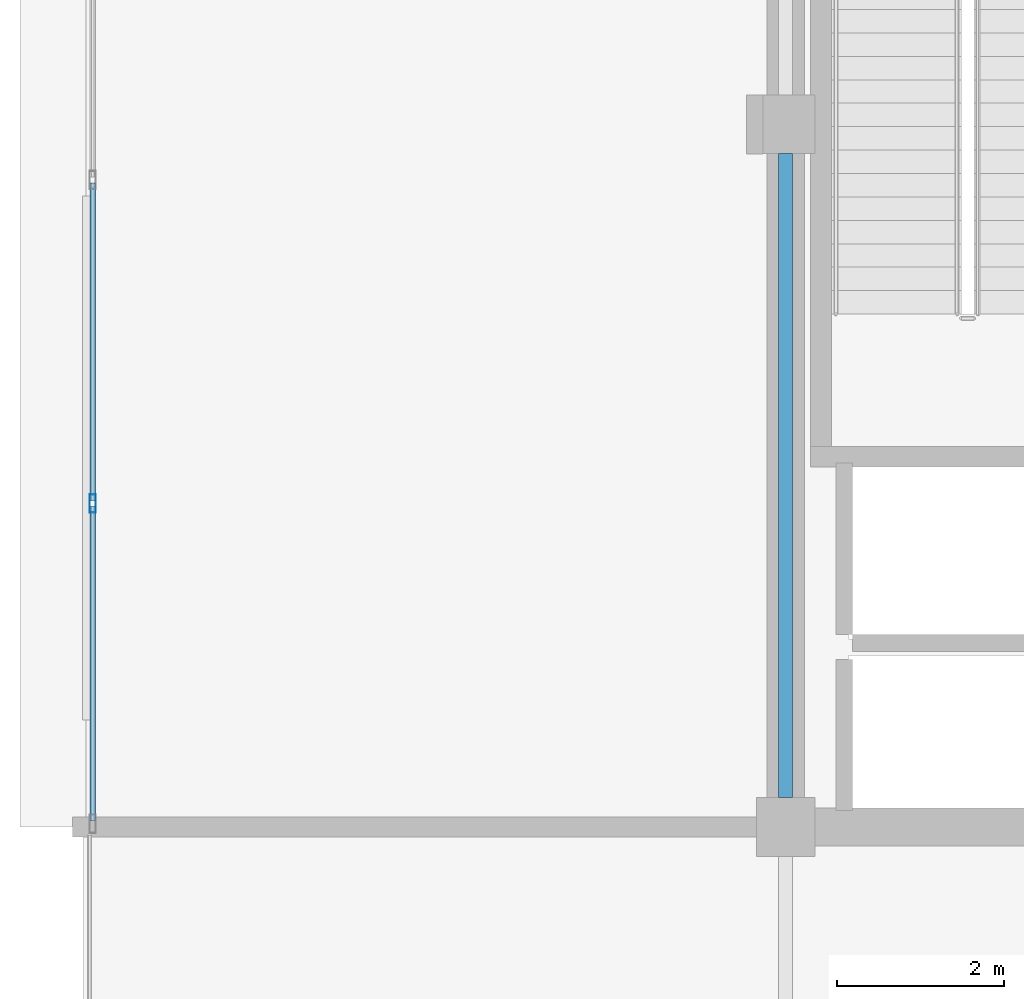
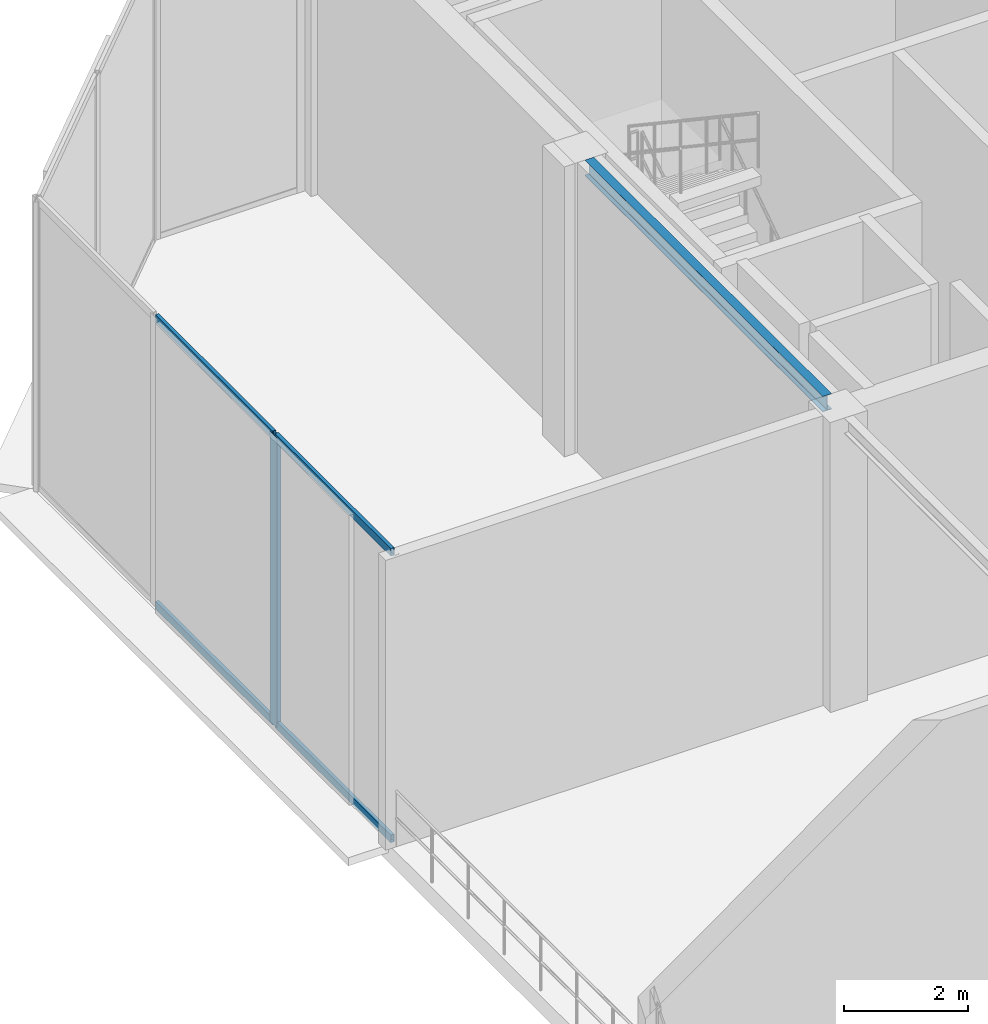
# One storey, part 7 of 19: 5 members, 1 beam, 1 element without a shape of its own.
"""IFC4 building model written with IfcOpenShell, lengths in metres."""

from ifc_helpers import new_model, si_unit, direction, frame, origin, origin_2d, place, context, subcontext, project, spatial, hollow_rectangle, i_section, extrude, material, layer, layer_set, material_profile, profile_set, type_object, element, aggregate, save


model = new_model("IFC4")

# Units and contexts
model_context = context("Model", 3, precision=1e-05, world=origin(), true_north=direction((0.0, 1.0)))
body_context = subcontext(model_context, "Body", "Model", "MODEL_VIEW")
ifc_project = project(units=[si_unit("LENGTHUNIT", "METRE"), si_unit("AREAUNIT", "SQUARE_METRE"), si_unit("VOLUMEUNIT", "CUBIC_METRE"), si_unit("PLANEANGLEUNIT", "RADIAN"), si_unit("MASSUNIT", "GRAM", prefix="KILO")], contexts=[model_context])

# Site, building, storey
site_placement = place(None, origin())
site = spatial("IfcSite", under=ifc_project, at=site_placement, CompositionType="ELEMENT")
building_placement = place(site_placement, origin())
building = spatial("IfcBuilding", under=site, at=building_placement, Name="Nerrivon Quay Data Exchange", CompositionType="ELEMENT")
storey_placement = place(building_placement, frame((0.0, 0.0, 327.0)))
storey = spatial("IfcBuildingStorey", under=building, at=storey_placement, Name="L78", CompositionType="ELEMENT", Elevation=327.0)

# Beam
ifc_material_1 = material(Name="Steel Grade 350", Category="steel")
ifc_material_profile_1 = material_profile(ifc_material_1, i_section(OverallWidth=0.166015625, OverallDepth=0.306884765625, WebThickness=0.006591796875, FlangeThickness=0.01171875, FilletRadius=0.011474609375, at=origin_2d()), Name="310UB46.2")
ifc_profile_set_1 = profile_set([ifc_material_profile_1], Name="Steel Grade 350")
beam_type = type_object("IfcBeamType", Name="BM-J5-310UB46", PredefinedType="JOIST", material=ifc_profile_set_1)
beam_placement = place(storey_placement, frame((8.39990234375, 25.550048828125, 5.571533203125), z_axis=(0.0, 1.0, 0.0), x_axis=(-1.0, 0.0, 0.0)))
element("IfcBeam", 1, at=beam_placement, inside=storey, type_object=beam_type, Name="L78 NS Girder X=8.4 (25.2..33.6)", PredefinedType="JOIST", context=body_context, shape_type="SweptSolid", body=[
    extrude(i_section(OverallWidth=0.166015625, OverallDepth=0.306884765625, WebThickness=0.006591796875, FlangeThickness=0.01171875, FilletRadius=0.011474609375, at=origin_2d()), origin(), (0.0, 0.0, 1.0), 7.699951171875),
])

# Curtain wall, members
ifc_material_2 = material(Name="Anodised aluminium 6063-T6", Category="aluminium")
ifc_layer = layer(ifc_material_2, 0.22998046875)
ifc_layer_set = layer_set([ifc_layer], Name="Anodised aluminium 6063-T6")
curtain_wall_type = type_object("IfcCurtainWallType", Name="CW-SYS-05", PredefinedType="NOTDEFINED", material=ifc_layer_set)
curtain_wall_placement = place(storey_placement, origin())
curtain_wall = element("IfcCurtainWall", 2, at=curtain_wall_placement, inside=storey, type_object=curtain_wall_type, Name="L78 Crown Curtain Wall 24", PredefinedType="NOTDEFINED")
ifc_material_profile_2 = material_profile(ifc_material_2, hollow_rectangle(XDim=0.074951171875, YDim=0.219970703125, WallThickness=0.00390625, at=origin_2d()), Name="ALU-MULL-220x75")
ifc_profile_set_2 = profile_set([ifc_material_profile_2], Name="Anodised aluminium 6063-T6")
member_type_1 = type_object("IfcMemberType", Name="CWM-220x75", PredefinedType="MULLION", material=ifc_profile_set_2)
member_1_placement = place(storey_placement, frame((0.1201171875, 29.066650390625, 0.0), z_axis=(0.0, 0.0, 1.0), x_axis=(-1.0, 0.0, 0.0)))
member_1 = element("IfcMember", 3, at=member_1_placement, type_object=member_type_1, Name="CW05 mullion 2", PredefinedType="MULLION", context=body_context, shape_type="SweptSolid", body=[
    extrude(hollow_rectangle(XDim=0.074951171875, YDim=0.219970703125, WallThickness=0.00390625, at=origin_2d()), origin(), (0.0, 0.0, 1.0), 5.72509765625),
])
ifc_material_profile_3 = material_profile(ifc_material_2, hollow_rectangle(XDim=0.06494140625, YDim=0.14990234375, WallThickness=0.00341796875, at=origin_2d()), Name="ALU-TRAN-150x65")
ifc_profile_set_3 = profile_set([ifc_material_profile_3], Name="Anodised aluminium 6063-T6")
member_type_2 = type_object("IfcMemberType", Name="CWT-150x65", PredefinedType="USERDEFINED", material=ifc_profile_set_3)
member_2_placement = place(storey_placement, frame((0.1201171875, 25.27490234375, 0.032470703125), z_axis=(0.0, 1.0, 0.0), x_axis=(-1.0, 0.0, 0.0)))
member_2 = element("IfcMember", 4, at=member_2_placement, type_object=member_type_2, Name="CW05 transom 1.1", ObjectType="TRANSOM", PredefinedType="USERDEFINED", context=body_context, shape_type="SweptSolid", body=[
    extrude(hollow_rectangle(XDim=0.06494140625, YDim=0.14990234375, WallThickness=0.00341796875, at=origin_2d()), origin(), (0.0, 0.0, 1.0), 3.754150390625),
])
member_3_placement = place(storey_placement, frame((0.1201171875, 25.27490234375, 5.6923828125), z_axis=(0.0, 1.0, 0.0), x_axis=(-1.0, 0.0, 0.0)))
member_3 = element("IfcMember", 5, at=member_3_placement, type_object=member_type_2, Name="CW05 transom 1.2", ObjectType="TRANSOM", PredefinedType="USERDEFINED", context=body_context, shape_type="SweptSolid", body=[
    extrude(hollow_rectangle(XDim=0.06494140625, YDim=0.14990234375, WallThickness=0.00341796875, at=origin_2d()), origin(), (0.0, 0.0, 1.0), 3.754150390625),
])
member_4_placement = place(storey_placement, frame((0.1201171875, 29.104248046875, 0.032470703125), z_axis=(0.0, 1.0, 0.0), x_axis=(-1.0, 0.0, 0.0)))
member_4 = element("IfcMember", 6, at=member_4_placement, type_object=member_type_2, Name="CW05 transom 2.1", ObjectType="TRANSOM", PredefinedType="USERDEFINED", context=body_context, shape_type="SweptSolid", body=[
    extrude(hollow_rectangle(XDim=0.06494140625, YDim=0.14990234375, WallThickness=0.00341796875, at=origin_2d()), origin(), (0.0, 0.0, 1.0), 3.79150390625),
])
member_5_placement = place(storey_placement, frame((0.1201171875, 29.104248046875, 5.6923828125), z_axis=(0.0, 1.0, 0.0), x_axis=(-1.0, 0.0, 0.0)))
member_5 = element("IfcMember", 7, at=member_5_placement, type_object=member_type_2, Name="CW05 transom 2.2", ObjectType="TRANSOM", PredefinedType="USERDEFINED", context=body_context, shape_type="SweptSolid", body=[
    extrude(hollow_rectangle(XDim=0.06494140625, YDim=0.14990234375, WallThickness=0.00341796875, at=origin_2d()), origin(), (0.0, 0.0, 1.0), 3.79150390625),
])
aggregate(curtain_wall, [member_1, member_2, member_3, member_4, member_5])

save(model, "model.ifc")
